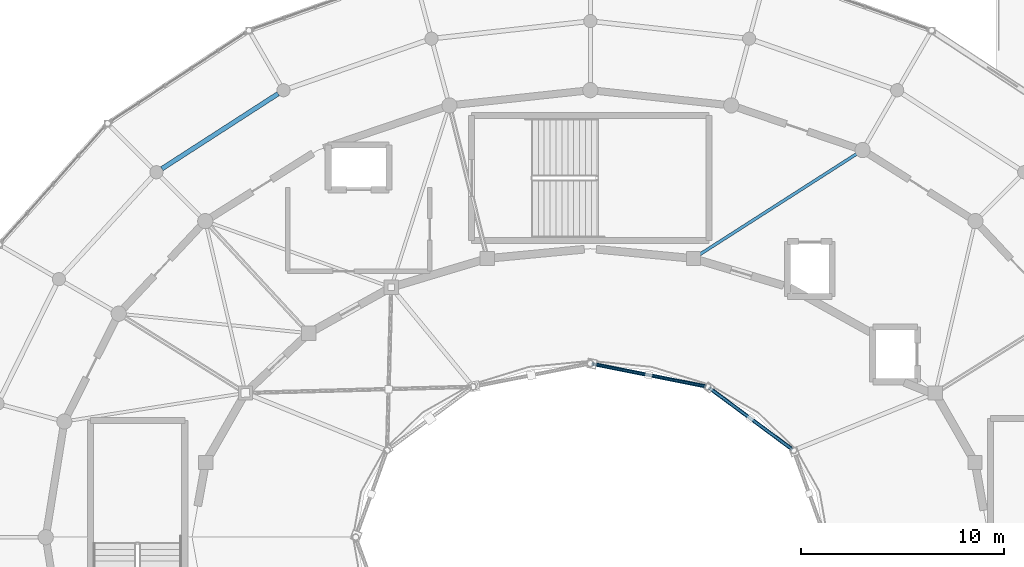
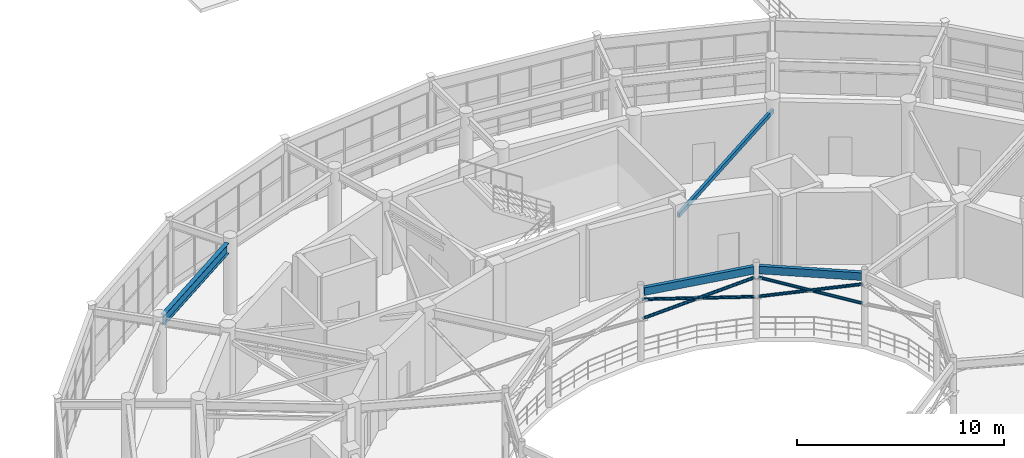
# One storey, part 22 of 60: 7 members, 3 beams.
"""IFC4 building model written with IfcOpenShell, lengths in metres."""

from ifc_helpers import new_model, si_unit, direction, frame, origin, origin_2d, place, context, subcontext, project, spatial, rectangle, hollow_rectangle, hollow_circle, i_section, extrude, material, material_profile, profile_set, type_object, element, save


model = new_model("IFC4")

# Units and contexts
model_context = context("Model", 3, precision=1e-05, world=origin(), true_north=direction((0.0, 1.0)))
body_context = subcontext(model_context, "Body", "Model", "MODEL_VIEW")
ifc_project = project(units=[si_unit("LENGTHUNIT", "METRE"), si_unit("AREAUNIT", "SQUARE_METRE"), si_unit("VOLUMEUNIT", "CUBIC_METRE"), si_unit("PLANEANGLEUNIT", "RADIAN"), si_unit("MASSUNIT", "GRAM", prefix="KILO")], contexts=[model_context])

# Site, building, storey
site_placement = place(None, origin())
site = spatial("IfcSite", under=ifc_project, at=site_placement, CompositionType="ELEMENT")
building_placement = place(site_placement, origin())
building = spatial("IfcBuilding", under=site, at=building_placement, Name="Cinderbank Siding Concert Hall", CompositionType="ELEMENT")
storey_placement = place(building_placement, frame((0.0, 0.0, 14.699951171875)))
storey = spatial("IfcBuildingStorey", under=building, at=storey_placement, Name="L04", CompositionType="ELEMENT", Elevation=14.699951171875)

# Beam
ifc_material_1 = material(Name="Structural steel AS/NZS 3679.1 Grade 350 (340 MPa)", Category="steel")
ifc_material_profile_1 = material_profile(ifc_material_1, i_section(OverallWidth=0.22802734375, OverallDepth=0.60693359375, WebThickness=0.01123046875, FlangeThickness=0.017333984375, at=origin_2d()), Name="610UB113", Category="LoadBearing")
ifc_profile_set_1 = profile_set([ifc_material_profile_1], Name="Structural steel AS/NZS 3679.1 Grade 350 (340 MPa)")
beam_type_1 = type_object("IfcBeamType", Name="BM-UB610M 610UB113", PredefinedType="BEAM", material=ifc_profile_set_1)
beam_1_placement = place(storey_placement, frame((106.6337890625, 65.8251953125, 3.928466796875), z_axis=(-0.840219727246, -0.542246078775, 0.0), x_axis=(0.542246078775, -0.840219727246, 0.0)))
element("IfcBeam", 1, at=beam_1_placement, inside=storey, type_object=beam_type_1, Name="L04 Beam BM-UB610M #660", PredefinedType="BEAM", context=body_context, shape_type="SweptSolid", body=[
    extrude(i_section(OverallWidth=0.22802734375, OverallDepth=0.60693359375, WebThickness=0.01123046875, FlangeThickness=0.017333984375, at=origin_2d()), origin(), (0.0, 0.0, 1.0), 6.810302734375),
])

# Members
ifc_material_2 = material(Name="Structural steel hollow section AS/NZS 1163 Grade C350L0 (350 MPa)", Category="steel")
ifc_material_profile_2 = material_profile(ifc_material_2, hollow_circle(Radius=0.084228515625, WallThickness=0.007080078125, at=origin_2d()), Name="168.3x7.1CHS", Category="LoadBearing")
ifc_profile_set_2 = profile_set([ifc_material_profile_2], Name="Structural steel hollow section AS/NZS 1163 Grade C350L0 (350 MPa)")
member_type_1 = type_object("IfcMemberType", Name="BR-CHS168 168.3x7.1CHS Roof Truss", PredefinedType="BRACE", material=ifc_profile_set_2)
member_1_placement = place(storey_placement, frame((131.938232421875, 48.322509765625, 2.400146484375), z_axis=(-0.784369910815, 0.580673871078, 0.218132295765), x_axis=(-0.595001989932, -0.803724226322, 0.0)))
element("IfcMember", 2, at=member_1_placement, inside=storey, type_object=member_type_1, Name="L04 Diagonal Brace BR-CHS168 #RKCR-BR-CHS168-L04-2100", PredefinedType="BRACE", context=body_context, shape_type="SweptSolid", body=[
    extrude(hollow_circle(Radius=0.084228515625, WallThickness=0.007080078125, at=origin_2d()), origin(), (0.0, 0.0, 1.0), 5.2255859375),
])
for number, where, z_axis, x_axis, name in (
    (3, (127.83935546875, 51.35693359375, 2.400146484375), (0.784352777564, -0.580699234671, 0.218126383504), (0.595027173666, 0.803705582038, 0.0), "L04 Diagonal Brace BR-CHS168 #RKCR-BR-CHS168-L04-2101"),
    (4, (129.900634765625, 49.8310546875, 2.973388671875), (0.784352777564, -0.580699234671, 0.218126383504), (0.595027173666, 0.803705582038, 0.0), "L04 Diagonal Brace BR-CHS168 #RKCR-BR-CHS168-L04-2101-S204"),
):
    element("IfcMember", number, at=place(storey_placement, frame(where, z_axis=z_axis, x_axis=x_axis)), inside=storey, type_object=member_type_1, Name=name, PredefinedType="BRACE", context=body_context, shape_type="SweptSolid", body=[
        extrude(hollow_circle(Radius=0.084228515625, WallThickness=0.007080078125, at=origin_2d()), origin(), (0.0, 0.0, 1.0), 2.597900390625),
    ])
member_2_placement = place(storey_placement, frame((127.696533203125, 51.420166015625, 2.400146484375), z_axis=(-0.962024071577, 0.190807781612, 0.195197531189), x_axis=(-0.194550158365, -0.980892571019, 0.0)))
element("IfcMember", 5, at=member_2_placement, inside=storey, type_object=member_type_1, Name="L04 Diagonal Brace BR-CHS168 #RKCR-BR-CHS168-L04-2102", PredefinedType="BRACE", context=body_context, shape_type="SweptSolid", body=[
    extrude(hollow_circle(Radius=0.084228515625, WallThickness=0.007080078125, at=origin_2d()), origin(), (0.0, 0.0, 1.0), 5.839599609375),
])
member_3_placement = place(storey_placement, frame((122.07861328125, 52.534423828125, 2.400146484375), z_axis=(0.962018451096, -0.1908740086, 0.195160479071), x_axis=(0.194616221116, 0.980879465826, 0.0)))
element("IfcMember", 6, at=member_3_placement, inside=storey, type_object=member_type_1, Name="L04 Diagonal Brace BR-CHS168 #RKCR-BR-CHS168-L04-2103", PredefinedType="BRACE", context=body_context, shape_type="SweptSolid", body=[
    extrude(hollow_circle(Radius=0.084228515625, WallThickness=0.007080078125, at=origin_2d()), origin(), (0.0, 0.0, 1.0), 2.90478515625),
])
member_4_placement = place(storey_placement, frame((124.90185546875, 51.974365234375, 2.972900390625), z_axis=(0.96202436034, -0.190774464748, 0.195228670313), x_axis=(0.194517417313, 0.980899064309, 0.0)))
element("IfcMember", 7, at=member_4_placement, inside=storey, type_object=member_type_1, Name="L04 Diagonal Brace BR-CHS168 #RKCR-BR-CHS168-L04-2103-S205", PredefinedType="BRACE", context=body_context, shape_type="SweptSolid", body=[
    extrude(hollow_circle(Radius=0.084228515625, WallThickness=0.007080078125, at=origin_2d()), origin(), (0.0, 0.0, 1.0), 2.905029296875),
])

# Beams
ifc_material_3 = material(Name="Spotted gum glulam timber GL18 (42 MPa)", Category="wood")
ifc_material_profile_3 = material_profile(ifc_material_3, rectangle(XDim=0.18994140625, YDim=0.449951171875, at=origin_2d()), Name="GL18-190x450", Category="LoadBearing")
ifc_profile_set_3 = profile_set([ifc_material_profile_3], Name="Spotted gum glulam timber GL18 (42 MPa)")
beam_type_2 = type_object("IfcBeamType", Name="SP-GL450 GL18-190x450", PredefinedType="SPANDREL", material=ifc_profile_set_3)
beam_2_placement = place(storey_placement, frame((131.87890625, 48.36669921875, 4.027099609375), z_axis=(-0.803752781555, 0.594963415801, 0.0), x_axis=(-0.594963415801, -0.803752781555, 0.0)))
element("IfcBeam", 8, at=beam_2_placement, inside=storey, type_object=beam_type_2, Name="L04 Beam SP-GL450 #191", PredefinedType="SPANDREL", context=body_context, shape_type="SweptSolid", body=[
    extrude(rectangle(XDim=0.18994140625, YDim=0.449951171875, at=origin_2d()), origin(), (0.0, 0.0, 1.0), 4.9521484375),
])
beam_3_placement = place(storey_placement, frame((127.6240234375, 51.4345703125, 4.027099609375), z_axis=(-0.980895780778, 0.194533974545, 0.0), x_axis=(-0.194533974545, -0.980895780778, 0.0)))
element("IfcBeam", 9, at=beam_3_placement, inside=storey, type_object=beam_type_2, Name="L04 Beam SP-GL450 #193", PredefinedType="SPANDREL", context=body_context, shape_type="SweptSolid", body=[
    extrude(rectangle(XDim=0.18994140625, YDim=0.449951171875, at=origin_2d()), origin(), (0.0, 0.0, 1.0), 5.579833984375),
])

# Member
ifc_material_profile_4 = material_profile(ifc_material_2, hollow_rectangle(XDim=0.14990234375, YDim=0.25, WallThickness=0.009033203125, at=origin_2d()), Name="250x150x9.0RHS", Category="LoadBearing")
ifc_profile_set_4 = profile_set([ifc_material_profile_4], Name="Structural steel hollow section AS/NZS 1163 Grade C350L0 (350 MPa)")
member_type_2 = type_object("IfcMemberType", Name="TR-RHS250 250x150x9.0RHS Roof Truss", PredefinedType="RAFTER", material=ifc_profile_set_4)
member_5_placement = place(storey_placement, frame((127.072998046875, 57.716064453125, 3.60009765625), z_axis=(0.841940386591, 0.539570556487, 0.0), x_axis=(-0.539570556487, 0.841940386591, 0.0)))
element("IfcMember", 10, at=member_5_placement, inside=storey, type_object=member_type_2, Name="L04 Roof Truss Member TR-RHS250 #2272", PredefinedType="RAFTER", context=body_context, shape_type="SweptSolid", body=[
    extrude(hollow_rectangle(XDim=0.14990234375, YDim=0.25, WallThickness=0.009033203125, at=origin_2d()), origin(), (0.0, 0.0, 1.0), 9.89013671875),
])

save(model, "model.ifc")
